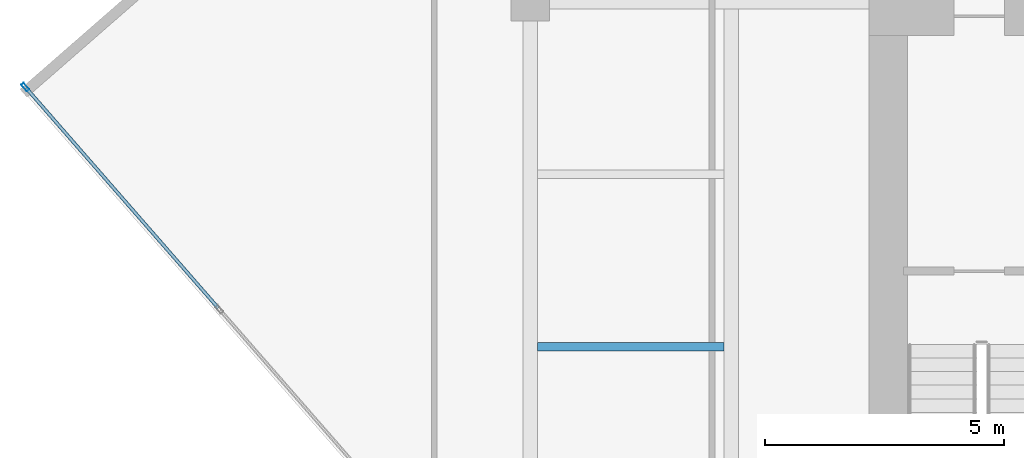
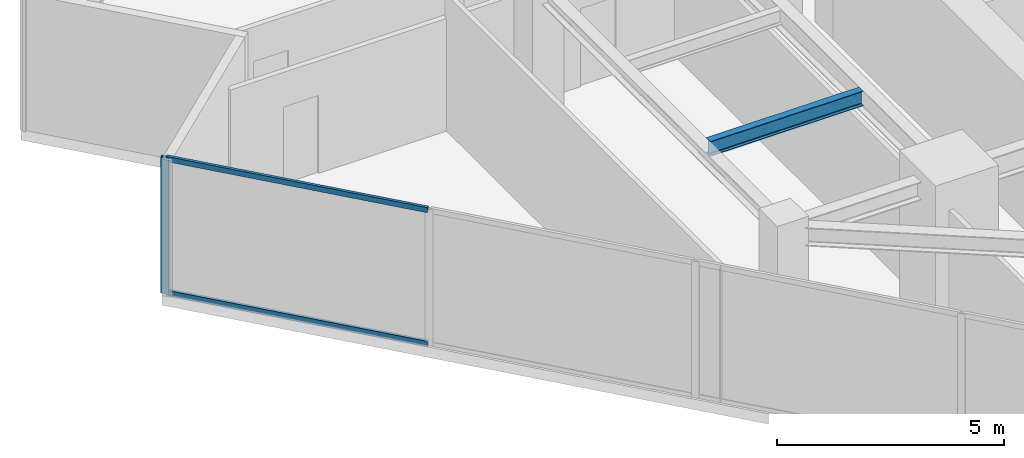
# One storey, part 5 of 24: 3 members, 1 beam, 1 element without a shape of its own.
"""IFC4 building model written with IfcOpenShell, lengths in metres."""

from ifc_helpers import new_model, si_unit, direction, frame, origin, origin_2d, place, context, subcontext, project, spatial, hollow_rectangle, i_section, extrude, source, transform, mapped, material, material_profile, profile_set, type_object, type_shapes, element, aggregate, save


model = new_model("IFC4")

# Units and contexts
model_context = context("Model", 3, precision=1e-05, world=origin(), true_north=direction((0.0, 1.0)))
body_context = subcontext(model_context, "Body", "Model", "MODEL_VIEW")
ifc_project = project(units=[si_unit("LENGTHUNIT", "METRE"), si_unit("AREAUNIT", "SQUARE_METRE"), si_unit("VOLUMEUNIT", "CUBIC_METRE"), si_unit("PLANEANGLEUNIT", "RADIAN"), si_unit("MASSUNIT", "GRAM", prefix="KILO")], contexts=[model_context])

# Site, building, storey
site_placement = place(None, origin())
site = spatial("IfcSite", under=ifc_project, at=site_placement, CompositionType="ELEMENT")
building_placement = place(site_placement, origin())
building = spatial("IfcBuilding", under=site, at=building_placement, Name="Krantzveldt Concourse Tower", CompositionType="ELEMENT")
storey_placement = place(building_placement, frame((0.0, 0.0, 250.75)))
storey = spatial("IfcBuildingStorey", under=building, at=storey_placement, Name="L61", CompositionType="ELEMENT", Elevation=250.75)

# Beam
ifc_material_1 = material(Name="Steel S355JR", Category="steel")
ifc_material_profile_1 = material_profile(ifc_material_1, i_section(OverallWidth=0.179931640625, OverallDepth=0.39990234375, WebThickness=0.008544921875, FlangeThickness=0.013427734375, FilletRadius=0.02099609375, at=origin_2d()), Name="Steel S355JR", Category="steel")
ifc_profile_set_1 = profile_set([ifc_material_profile_1], Name="Steel S355JR - IPE 400")
beam_type = type_object("IfcBeamType", Name="BM-J-IPE400", PredefinedType="JOIST", material=ifc_profile_set_1)
shared_shape_1 = source(origin(), body_context, "Body", "SweptSolid", [
    extrude(i_section(OverallWidth=0.179931640625, OverallDepth=0.39990234375, WebThickness=0.008544921875, FlangeThickness=0.013427734375, FilletRadius=0.02099609375, at=origin_2d()), origin(), (0.0, 0.0, 1.0), 3.900146484375),
])
type_shapes(beam_type, [shared_shape_1])
beam_placement = place(storey_placement, frame((21.14990234375, 19.5, 3.469970703125), z_axis=(1.0, 0.0, 0.0), x_axis=(0.0, 1.0, 0.0)))
element("IfcBeam", 1, at=beam_placement, inside=storey, type_object=beam_type, Name="L61 Secondary Floor Joist JW-1", PredefinedType="JOIST", context=body_context, shape_type="MappedRepresentation", body=[
    mapped(shared_shape_1, transform((0.0, 0.0, 0.0), x_axis=(1.0, 0.0, 0.0), y_axis=(0.0, 1.0, 0.0), z_axis=(0.0, 0.0, 1.0), scale=1.0)),
])

# Curtain wall, members
ifc_material_2 = material(Name="Anodised aluminium 6063-T6", Category="aluminium")
curtain_wall_type = type_object("IfcCurtainWallType", Name="CW3", PredefinedType="USERDEFINED", material=ifc_material_2)
curtain_wall_placement = place(storey_placement, origin())
curtain_wall = element("IfcCurtainWall", 2, at=curtain_wall_placement, inside=storey, type_object=curtain_wall_type, Name="CW-L61-F04", ObjectType="UNITISED CURTAIN WALL", PredefinedType="USERDEFINED")
ifc_material_profile_2 = material_profile(ifc_material_2, hollow_rectangle(XDim=0.070068359375, YDim=0.179931640625, WallThickness=0.0048828125, at=origin_2d()), Name="Anodised aluminium 6063-T6", Category="aluminium")
ifc_profile_set_2 = profile_set([ifc_material_profile_2], Name="Anodised aluminium 6063-T6 - ALU-MULL 180x70x5")
member_type_1 = type_object("IfcMemberType", Name="CW-MUL-180", PredefinedType="MULLION", material=ifc_profile_set_2)
shared_shape_2 = source(origin(), body_context, "Body", "SweptSolid", [
    extrude(hollow_rectangle(XDim=0.070068359375, YDim=0.179931640625, WallThickness=0.0048828125, at=origin_2d()), origin(), (0.0, 0.0, 1.0), 3.669921875),
])
type_shapes(member_type_1, [shared_shape_2])
member_1_placement = place(storey_placement, frame((10.454345703125, 24.92578125, 0.0), z_axis=(0.0, 0.0, 1.0), x_axis=(0.753276529034, 0.657703938567, 0.0)))
member_1 = element("IfcMember", 3, at=member_1_placement, type_object=member_type_1, Name="CW-Z34 mullion 1", PredefinedType="MULLION", context=body_context, shape_type="MappedRepresentation", body=[
    mapped(shared_shape_2, transform((0.0, 0.0, 0.0), x_axis=(1.0, 0.0, 0.0), y_axis=(0.0, 1.0, 0.0), z_axis=(0.0, 0.0, 1.0), scale=1.0)),
])
ifc_material_profile_3 = material_profile(ifc_material_2, hollow_rectangle(XDim=0.070068359375, YDim=0.139892578125, WallThickness=0.0048828125, at=origin_2d()), Name="Anodised aluminium 6063-T6", Category="aluminium")
ifc_profile_set_3 = profile_set([ifc_material_profile_3], Name="Anodised aluminium 6063-T6 - ALU-TRAN 140x70x5")
member_type_2 = type_object("IfcMemberType", Name="CW-TRN-150", PredefinedType="USERDEFINED", material=ifc_profile_set_3)
shared_shape_3 = source(origin(), body_context, "Body", "SweptSolid", [
    extrude(hollow_rectangle(XDim=0.070068359375, YDim=0.139892578125, WallThickness=0.0048828125, at=origin_2d()), origin(), (0.0, 0.0, 1.0), 6.094970703125),
])
type_shapes(member_type_2, [shared_shape_3])
member_2_placement = place(storey_placement, frame((10.477294921875, 24.8994140625, 0.034912109375), z_axis=(0.657681823072, -0.753295838035, 0.0), x_axis=(0.753295838035, 0.657681823072, 0.0)))
member_2 = element("IfcMember", 4, at=member_2_placement, type_object=member_type_2, Name="CW-Z34 transom 1.1", ObjectType="TRANSOM", PredefinedType="USERDEFINED", context=body_context, shape_type="MappedRepresentation", body=[
    mapped(shared_shape_3, transform((0.0, 0.0, 0.0), x_axis=(1.0, 0.0, 0.0), y_axis=(0.0, 1.0, 0.0), z_axis=(0.0, 0.0, 1.0), scale=1.0)),
])
member_3_placement = place(storey_placement, frame((10.477294921875, 24.8994140625, 3.635009765625), z_axis=(0.657681823072, -0.753295838035, 0.0), x_axis=(0.753295838035, 0.657681823072, 0.0)))
member_3 = element("IfcMember", 5, at=member_3_placement, type_object=member_type_2, Name="CW-Z34 transom 1.2", ObjectType="TRANSOM", PredefinedType="USERDEFINED", context=body_context, shape_type="MappedRepresentation", body=[
    mapped(shared_shape_3, transform((0.0, 0.0, 0.0), x_axis=(1.0, 0.0, 0.0), y_axis=(0.0, 1.0, 0.0), z_axis=(0.0, 0.0, 1.0), scale=1.0)),
])
aggregate(curtain_wall, [member_1, member_2, member_3])

save(model, "model.ifc")
